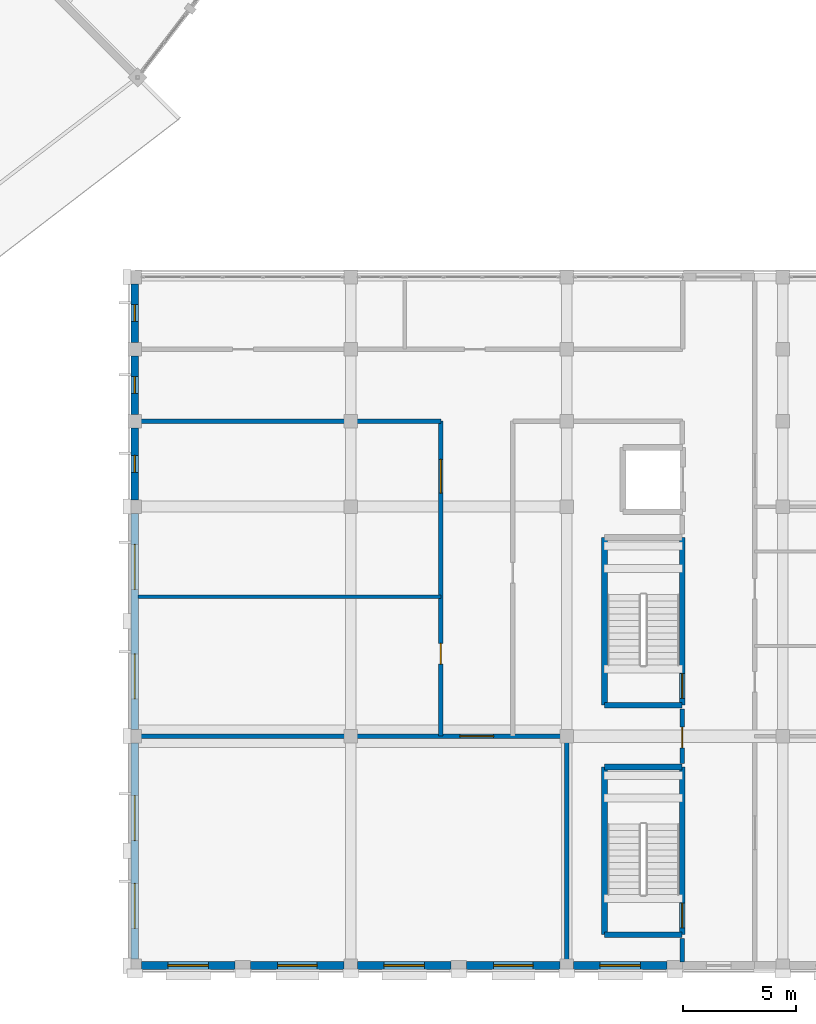
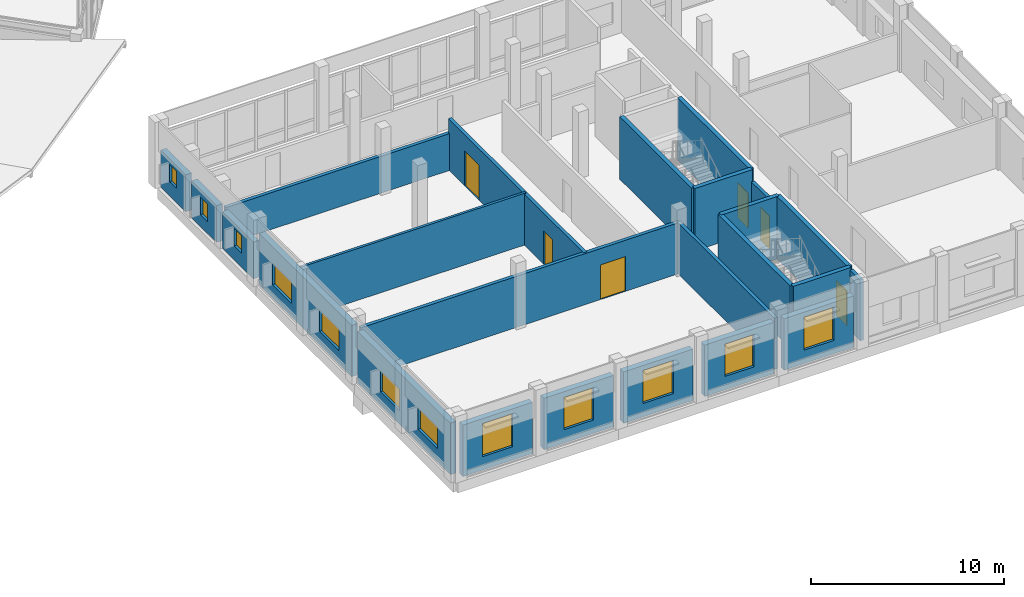
# One storey, part 164 of 185: 24 walls, 12 windows, 6 doors, 18 openings.
"""IFC4 building model written with IfcOpenShell, lengths in metres."""

from ifc_helpers import new_model, si_unit, direction, frame, frame_2d, origin, place, context, subcontext, project, spatial, rectangle, extrude, material, layer, layer_set, type_object, element, fill, save


model = new_model("IFC4")

# Units and contexts
model_context = context("Model", 3, precision=1e-05, world=origin(), true_north=direction((0.0, 1.0)))
body_context = subcontext(model_context, "Body", "Model", "MODEL_VIEW")
ifc_project = project(units=[si_unit("LENGTHUNIT", "METRE"), si_unit("AREAUNIT", "SQUARE_METRE"), si_unit("VOLUMEUNIT", "CUBIC_METRE"), si_unit("PLANEANGLEUNIT", "RADIAN"), si_unit("MASSUNIT", "GRAM", prefix="KILO")], contexts=[model_context])

# Site, building, storey
site_placement = place(None, origin())
site = spatial("IfcSite", under=ifc_project, at=site_placement, CompositionType="ELEMENT")
building_placement = place(site_placement, origin())
building = spatial("IfcBuilding", under=site, at=building_placement, Name="Vondelvale Polytechnic", CompositionType="ELEMENT")
storey_placement = place(building_placement, frame((0.0, 0.0, 9.60009765625)))
storey = spatial("IfcBuildingStorey", under=building, at=storey_placement, Name="L02", CompositionType="ELEMENT", Elevation=9.60009765625)

# Wall, opening, window
ifc_material_1 = material(Name="Amsterdam School iron-spot clinker clay brickwork", Category="masonry")
ifc_layer_1 = layer(ifc_material_1, 0.35009765625)
ifc_layer_set_1 = layer_set([ifc_layer_1], Name="WL-BRICK-350")
wall_type_1 = type_object("IfcWallType", Name="WL-BRICK-350", PredefinedType="SOLIDWALL", material=ifc_layer_set_1)
wall_1_placement = place(storey_placement, frame((138.84912109375, 0.0, 0.0), z_axis=(0.0, 0.0, 1.0), x_axis=(-1.0, 0.0, 0.0)))
wall_1 = element("IfcWall", 1, at=wall_1_placement, inside=storey, type_object=wall_type_1, Name="L02 exterior masonry facade wall", PredefinedType="SOLIDWALL", context=body_context, shape_type="SweptSolid", body=[
    extrude(rectangle(XDim=4.148193359375, YDim=0.35009765625, at=frame_2d((2.07421875, 0.0))), origin(), (0.0, 0.0, 1.0), 3.25),
])
opening_1_placement = place(wall_1_placement, frame((1.174072265625, 0.0, 0.85009765625)))
opening_1 = element("IfcOpeningElement", 2, at=opening_1_placement, cuts=wall_1, Name="Opening WN-0369", PredefinedType="OPENING", context=body_context, shape_type="SweptSolid", body=[
    extrude(rectangle(XDim=1.800048828125, YDim=2.10009765625, at=frame_2d((0.89990234375, 1.050048828125))), frame((0.0, 0.18505859375, 0.0), z_axis=(0.0, -1.0, 0.0), x_axis=(1.0, 0.0, 0.0)), (0.0, 0.0, 1.0), 0.3701171875),
])
ifc_material_2 = material(Name="Double-glazed low-E insulated architectural glass", Category="glass")
window_type_1 = type_object("IfcWindowType", Name="WN-LAB-1800x2100", PartitioningType="SINGLE_PANEL", PredefinedType="WINDOW", material=ifc_material_2)
window_1_placement = place(opening_1_placement, origin())
window_1 = element("IfcWindow", 3, at=window_1_placement, inside=storey, type_object=window_type_1, Name="L02 double-glazed architectural window WN-0369", OverallHeight=2.10009765625, OverallWidth=1.800048828125, PartitioningType="SINGLE_PANEL", PredefinedType="WINDOW", context=body_context, shape_type="SweptSolid", body=[
    extrude(rectangle(XDim=1.800048828125, YDim=2.10009765625, at=frame_2d((0.89990234375, 1.050048828125))), frame((0.0, 0.030029296875, 0.0), z_axis=(0.0, -1.0, 0.0), x_axis=(1.0, 0.0, 0.0)), (0.0, 0.0, 1.0), 0.06005859375),
])
fill(opening_1, window_1)

wall_2_placement = place(storey_placement, frame((143.698974609375, 0.0, 0.0), z_axis=(0.0, 0.0, 1.0), x_axis=(-1.0, 0.0, 0.0)))
wall_2 = element("IfcWall", 4, at=wall_2_placement, inside=storey, type_object=wall_type_1, Name="L02 exterior masonry facade wall", PredefinedType="SOLIDWALL", context=body_context, shape_type="SweptSolid", body=[
    extrude(rectangle(XDim=4.14794921875, YDim=0.35009765625, at=frame_2d((2.073974609375, 0.0))), origin(), (0.0, 0.0, 1.0), 3.25),
])
opening_2_placement = place(wall_2_placement, frame((1.198974609375, 0.0, 0.85009765625)))
opening_2 = element("IfcOpeningElement", 5, at=opening_2_placement, cuts=wall_2, Name="Opening WN-0370", PredefinedType="OPENING", context=body_context, shape_type="SweptSolid", body=[
    extrude(rectangle(XDim=1.75, YDim=2.050048828125, at=frame_2d((0.875, 1.02490234375))), frame((0.0, 0.18505859375, 0.0), z_axis=(0.0, -1.0, 0.0), x_axis=(1.0, 0.0, 0.0)), (0.0, 0.0, 1.0), 0.3701171875),
])
window_type_2 = type_object("IfcWindowType", Name="WN-LAB-1750x2050", PartitioningType="SINGLE_PANEL", PredefinedType="WINDOW", material=ifc_material_2)
window_2_placement = place(opening_2_placement, origin())
window_2 = element("IfcWindow", 6, at=window_2_placement, inside=storey, type_object=window_type_2, Name="L02 double-glazed architectural window WN-0370", OverallHeight=2.050048828125, OverallWidth=1.75, PartitioningType="SINGLE_PANEL", PredefinedType="WINDOW", context=body_context, shape_type="SweptSolid", body=[
    extrude(rectangle(XDim=1.75, YDim=2.050048828125, at=frame_2d((0.875, 1.02490234375))), frame((0.0, 0.030029296875, 0.0), z_axis=(0.0, -1.0, 0.0), x_axis=(1.0, 0.0, 0.0)), (0.0, 0.0, 1.0), 0.06005859375),
])
fill(opening_2, window_2)

wall_3_placement = place(storey_placement, frame((148.448974609375, 0.0, 0.0), z_axis=(0.0, 0.0, 1.0), x_axis=(-1.0, 0.0, 0.0)))
wall_3 = element("IfcWall", 7, at=wall_3_placement, inside=storey, type_object=wall_type_1, Name="L02 exterior masonry facade wall", PredefinedType="SOLIDWALL", context=body_context, shape_type="SweptSolid", body=[
    extrude(rectangle(XDim=4.14794921875, YDim=0.35009765625, at=frame_2d((2.073974609375, 0.0))), origin(), (0.0, 0.0, 1.0), 3.25),
])
opening_3_placement = place(wall_3_placement, frame((1.174072265625, 0.0, 0.85009765625)))
opening_3 = element("IfcOpeningElement", 8, at=opening_3_placement, cuts=wall_3, Name="Opening WN-0371", PredefinedType="OPENING", context=body_context, shape_type="SweptSolid", body=[
    extrude(rectangle(XDim=1.800048828125, YDim=2.10009765625, at=frame_2d((0.89990234375, 1.050048828125))), frame((0.0, 0.18505859375, 0.0), z_axis=(0.0, -1.0, 0.0), x_axis=(1.0, 0.0, 0.0)), (0.0, 0.0, 1.0), 0.3701171875),
])
window_3_placement = place(opening_3_placement, origin())
window_3 = element("IfcWindow", 9, at=window_3_placement, inside=storey, type_object=window_type_1, Name="L02 double-glazed architectural window WN-0371", OverallHeight=2.10009765625, OverallWidth=1.800048828125, PartitioningType="SINGLE_PANEL", PredefinedType="WINDOW", context=body_context, shape_type="SweptSolid", body=[
    extrude(rectangle(XDim=1.800048828125, YDim=2.10009765625, at=frame_2d((0.89990234375, 1.050048828125))), frame((0.0, 0.030029296875, 0.0), z_axis=(0.0, -1.0, 0.0), x_axis=(1.0, 0.0, 0.0)), (0.0, 0.0, 1.0), 0.06005859375),
])
fill(opening_3, window_3)

wall_4_placement = place(storey_placement, frame((153.299072265625, 0.0, 0.0), z_axis=(0.0, 0.0, 1.0), x_axis=(-1.0, 0.0, 0.0)))
wall_4 = element("IfcWall", 10, at=wall_4_placement, inside=storey, type_object=wall_type_1, Name="L02 exterior masonry facade wall", PredefinedType="SOLIDWALL", context=body_context, shape_type="SweptSolid", body=[
    extrude(rectangle(XDim=4.148193359375, YDim=0.35009765625, at=frame_2d((2.07421875, 0.0))), origin(), (0.0, 0.0, 1.0), 3.25),
])
opening_4_placement = place(wall_4_placement, frame((1.198974609375, 0.0, 0.85009765625)))
opening_4 = element("IfcOpeningElement", 11, at=opening_4_placement, cuts=wall_4, Name="Opening WN-0372", PredefinedType="OPENING", context=body_context, shape_type="SweptSolid", body=[
    extrude(rectangle(XDim=1.75, YDim=2.050048828125, at=frame_2d((0.875, 1.02490234375))), frame((0.0, 0.18505859375, 0.0), z_axis=(0.0, -1.0, 0.0), x_axis=(1.0, 0.0, 0.0)), (0.0, 0.0, 1.0), 0.3701171875),
])
window_4_placement = place(opening_4_placement, origin())
window_4 = element("IfcWindow", 12, at=window_4_placement, inside=storey, type_object=window_type_2, Name="L02 double-glazed architectural window WN-0372", OverallHeight=2.050048828125, OverallWidth=1.75, PartitioningType="SINGLE_PANEL", PredefinedType="WINDOW", context=body_context, shape_type="SweptSolid", body=[
    extrude(rectangle(XDim=1.75, YDim=2.050048828125, at=frame_2d((0.875, 1.02490234375))), frame((0.0, 0.030029296875, 0.0), z_axis=(0.0, -1.0, 0.0), x_axis=(1.0, 0.0, 0.0)), (0.0, 0.0, 1.0), 0.06005859375),
])
fill(opening_4, window_4)

wall_5_placement = place(storey_placement, frame((158.049072265625, 0.0, 0.0), z_axis=(0.0, 0.0, 1.0), x_axis=(-1.0, 0.0, 0.0)))
wall_5 = element("IfcWall", 13, at=wall_5_placement, inside=storey, type_object=wall_type_1, Name="L02 exterior masonry facade wall", PredefinedType="SOLIDWALL", context=body_context, shape_type="SweptSolid", body=[
    extrude(rectangle(XDim=4.148193359375, YDim=0.35009765625, at=frame_2d((2.07421875, 0.0))), origin(), (0.0, 0.0, 1.0), 3.25),
])
opening_5_placement = place(wall_5_placement, frame((1.174072265625, 0.0, 0.85009765625)))
opening_5 = element("IfcOpeningElement", 14, at=opening_5_placement, cuts=wall_5, Name="Opening WN-0373", PredefinedType="OPENING", context=body_context, shape_type="SweptSolid", body=[
    extrude(rectangle(XDim=1.800048828125, YDim=2.10009765625, at=frame_2d((0.89990234375, 1.050048828125))), frame((0.0, 0.18505859375, 0.0), z_axis=(0.0, -1.0, 0.0), x_axis=(1.0, 0.0, 0.0)), (0.0, 0.0, 1.0), 0.3701171875),
])
window_5_placement = place(opening_5_placement, origin())
window_5 = element("IfcWindow", 15, at=window_5_placement, inside=storey, type_object=window_type_1, Name="L02 double-glazed architectural window WN-0373", OverallHeight=2.10009765625, OverallWidth=1.800048828125, PartitioningType="SINGLE_PANEL", PredefinedType="WINDOW", context=body_context, shape_type="SweptSolid", body=[
    extrude(rectangle(XDim=1.800048828125, YDim=2.10009765625, at=frame_2d((0.89990234375, 1.050048828125))), frame((0.0, 0.030029296875, 0.0), z_axis=(0.0, -1.0, 0.0), x_axis=(1.0, 0.0, 0.0)), (0.0, 0.0, 1.0), 0.06005859375),
])
fill(opening_5, window_5)

# Wall, openings, windows
wall_6_placement = place(storey_placement, frame((134.39990234375, 0.301025390625, 0.0), z_axis=(0.0, 0.0, 1.0), x_axis=(0.0, 1.0, 0.0)))
wall_6 = element("IfcWall", 16, at=wall_6_placement, inside=storey, type_object=wall_type_1, Name="L02 exterior masonry facade wall", PredefinedType="SOLIDWALL", context=body_context, shape_type="SweptSolid", body=[
    extrude(rectangle(XDim=9.597900390625, YDim=0.35009765625, at=frame_2d((4.798828125, 0.0))), origin(), (0.0, 0.0, 1.0), 3.25),
])
opening_6_placement = place(wall_6_placement, frame((1.35009765625, 0.0, 0.85009765625)))
opening_6 = element("IfcOpeningElement", 17, at=opening_6_placement, cuts=wall_6, Name="Opening WN-0377", PredefinedType="OPENING", context=body_context, shape_type="SweptSolid", body=[
    extrude(rectangle(XDim=2.0, YDim=1.35009765625, at=frame_2d((1.0, 0.675048828125))), frame((0.0, 0.18505859375, 0.0), z_axis=(0.0, -1.0, 0.0), x_axis=(1.0, 0.0, 0.0)), (0.0, 0.0, 1.0), 0.3701171875),
])
opening_7_placement = place(wall_6_placement, frame((5.25, 0.0, 0.85009765625)))
opening_7 = element("IfcOpeningElement", 18, at=opening_7_placement, cuts=wall_6, Name="Opening WN-0378", PredefinedType="OPENING", context=body_context, shape_type="SweptSolid", body=[
    extrude(rectangle(XDim=2.0, YDim=1.35009765625, at=frame_2d((1.0, 0.675048828125))), frame((0.0, 0.18505859375, 0.0), z_axis=(0.0, -1.0, 0.0), x_axis=(1.0, 0.0, 0.0)), (0.0, 0.0, 1.0), 0.3701171875),
])
window_type_3 = type_object("IfcWindowType", Name="WN-RIB-2000x1350", PartitioningType="SINGLE_PANEL", PredefinedType="WINDOW", material=ifc_material_2)
window_6_placement = place(opening_6_placement, origin())
window_6 = element("IfcWindow", 19, at=window_6_placement, inside=storey, type_object=window_type_3, Name="L02 double-glazed architectural window WN-0377", OverallHeight=1.35009765625, OverallWidth=2.0, PartitioningType="SINGLE_PANEL", PredefinedType="WINDOW", context=body_context, shape_type="SweptSolid", body=[
    extrude(rectangle(XDim=2.0, YDim=1.35009765625, at=frame_2d((1.0, 0.675048828125))), frame((0.0, 0.030029296875, 0.0), z_axis=(0.0, -1.0, 0.0), x_axis=(1.0, 0.0, 0.0)), (0.0, 0.0, 1.0), 0.06005859375),
])
fill(opening_6, window_6)
window_7_placement = place(opening_7_placement, origin())
window_7 = element("IfcWindow", 20, at=window_7_placement, inside=storey, type_object=window_type_3, Name="L02 double-glazed architectural window WN-0378", OverallHeight=1.35009765625, OverallWidth=2.0, PartitioningType="SINGLE_PANEL", PredefinedType="WINDOW", context=body_context, shape_type="SweptSolid", body=[
    extrude(rectangle(XDim=2.0, YDim=1.35009765625, at=frame_2d((1.0, 0.675048828125))), frame((0.0, 0.030029296875, 0.0), z_axis=(0.0, -1.0, 0.0), x_axis=(1.0, 0.0, 0.0)), (0.0, 0.0, 1.0), 0.06005859375),
])
fill(opening_7, window_7)

wall_7_placement = place(storey_placement, frame((134.39990234375, 10.5009765625, 0.0), z_axis=(0.0, 0.0, 1.0), x_axis=(0.0, 1.0, 0.0)))
wall_7 = element("IfcWall", 21, at=wall_7_placement, inside=storey, type_object=wall_type_1, Name="L02 exterior masonry facade wall", PredefinedType="SOLIDWALL", context=body_context, shape_type="SweptSolid", body=[
    extrude(rectangle(XDim=9.59814453125, YDim=0.35009765625, at=frame_2d((4.799072265625, 0.0))), origin(), (0.0, 0.0, 1.0), 3.25),
])
opening_8_placement = place(wall_7_placement, frame((1.35009765625, 0.0, 0.85009765625)))
opening_8 = element("IfcOpeningElement", 22, at=opening_8_placement, cuts=wall_7, Name="Opening WN-0379", PredefinedType="OPENING", context=body_context, shape_type="SweptSolid", body=[
    extrude(rectangle(XDim=2.0, YDim=1.35009765625, at=frame_2d((1.0, 0.675048828125))), frame((0.0, 0.18505859375, 0.0), z_axis=(0.0, -1.0, 0.0), x_axis=(1.0, 0.0, 0.0)), (0.0, 0.0, 1.0), 0.3701171875),
])
opening_9_placement = place(wall_7_placement, frame((6.218994140625, 0.0, 0.85009765625)))
opening_9 = element("IfcOpeningElement", 23, at=opening_9_placement, cuts=wall_7, Name="Opening WN-0380", PredefinedType="OPENING", context=body_context, shape_type="SweptSolid", body=[
    extrude(rectangle(XDim=2.0, YDim=1.35009765625, at=frame_2d((1.0, 0.675048828125))), frame((0.0, 0.18505859375, 0.0), z_axis=(0.0, -1.0, 0.0), x_axis=(1.0, 0.0, 0.0)), (0.0, 0.0, 1.0), 0.3701171875),
])
window_8_placement = place(opening_8_placement, origin())
window_8 = element("IfcWindow", 24, at=window_8_placement, inside=storey, type_object=window_type_3, Name="L02 double-glazed architectural window WN-0379", OverallHeight=1.35009765625, OverallWidth=2.0, PartitioningType="SINGLE_PANEL", PredefinedType="WINDOW", context=body_context, shape_type="SweptSolid", body=[
    extrude(rectangle(XDim=2.0, YDim=1.35009765625, at=frame_2d((1.0, 0.675048828125))), frame((0.0, 0.030029296875, 0.0), z_axis=(0.0, -1.0, 0.0), x_axis=(1.0, 0.0, 0.0)), (0.0, 0.0, 1.0), 0.06005859375),
])
fill(opening_8, window_8)
window_9_placement = place(opening_9_placement, origin())
window_9 = element("IfcWindow", 25, at=window_9_placement, inside=storey, type_object=window_type_3, Name="L02 double-glazed architectural window WN-0380", OverallHeight=1.35009765625, OverallWidth=2.0, PartitioningType="SINGLE_PANEL", PredefinedType="WINDOW", context=body_context, shape_type="SweptSolid", body=[
    extrude(rectangle(XDim=2.0, YDim=1.35009765625, at=frame_2d((1.0, 0.675048828125))), frame((0.0, 0.030029296875, 0.0), z_axis=(0.0, -1.0, 0.0), x_axis=(1.0, 0.0, 0.0)), (0.0, 0.0, 1.0), 0.06005859375),
])
fill(opening_9, window_9)

# Wall, opening, window
wall_8_placement = place(storey_placement, frame((134.39990234375, 20.700927734375, 0.0), z_axis=(0.0, 0.0, 1.0), x_axis=(0.0, 1.0, 0.0)))
wall_8 = element("IfcWall", 26, at=wall_8_placement, inside=storey, type_object=wall_type_1, Name="L02 exterior masonry facade wall", PredefinedType="SOLIDWALL", context=body_context, shape_type="SweptSolid", body=[
    extrude(rectangle(XDim=3.197998046875, YDim=0.35009765625, at=frame_2d((1.59912109375, 0.0))), origin(), (0.0, 0.0, 1.0), 2.329833984375),
])
opening_10_placement = place(wall_8_placement, frame((1.22412109375, 0.0, 0.89990234375)))
opening_10 = element("IfcOpeningElement", 27, at=opening_10_placement, cuts=wall_8, Name="Opening WN-0381", PredefinedType="OPENING", context=body_context, shape_type="SweptSolid", body=[
    extrude(rectangle(XDim=0.75, YDim=1.10009765625, at=frame_2d((0.375, 0.550048828125))), frame((0.0, 0.18505859375, 0.0), z_axis=(0.0, -1.0, 0.0), x_axis=(1.0, 0.0, 0.0)), (0.0, 0.0, 1.0), 0.3701171875),
])
window_type_4 = type_object("IfcWindowType", Name="WN-WC-0750x1100", PartitioningType="SINGLE_PANEL", PredefinedType="WINDOW", material=ifc_material_2)
window_10_placement = place(opening_10_placement, origin())
window_10 = element("IfcWindow", 28, at=window_10_placement, inside=storey, type_object=window_type_4, Name="L02 double-glazed architectural window WN-0381", OverallHeight=1.10009765625, OverallWidth=0.75, PartitioningType="SINGLE_PANEL", PredefinedType="WINDOW", context=body_context, shape_type="SweptSolid", body=[
    extrude(rectangle(XDim=0.75, YDim=1.10009765625, at=frame_2d((0.375, 0.550048828125))), frame((0.0, 0.030029296875, 0.0), z_axis=(0.0, -1.0, 0.0), x_axis=(1.0, 0.0, 0.0)), (0.0, 0.0, 1.0), 0.06005859375),
])
fill(opening_10, window_10)

wall_9_placement = place(storey_placement, frame((134.39990234375, 24.5009765625, 0.0), z_axis=(0.0, 0.0, 1.0), x_axis=(0.0, 1.0, 0.0)))
wall_9 = element("IfcWall", 29, at=wall_9_placement, inside=storey, type_object=wall_type_1, Name="L02 exterior masonry facade wall", PredefinedType="SOLIDWALL", context=body_context, shape_type="SweptSolid", body=[
    extrude(rectangle(XDim=2.59814453125, YDim=0.35009765625, at=frame_2d((1.299072265625, 0.0))), origin(), (0.0, 0.0, 1.0), 2.329833984375),
])
opening_11_placement = place(wall_9_placement, frame((0.924072265625, 0.0, 0.75)))
opening_11 = element("IfcOpeningElement", 30, at=opening_11_placement, cuts=wall_9, Name="Opening WN-0382", PredefinedType="OPENING", context=body_context, shape_type="SweptSolid", body=[
    extrude(rectangle(XDim=0.75, YDim=1.10009765625, at=frame_2d((0.375, 0.550048828125))), frame((0.0, 0.18505859375, 0.0), z_axis=(0.0, -1.0, 0.0), x_axis=(1.0, 0.0, 0.0)), (0.0, 0.0, 1.0), 0.3701171875),
])
window_11_placement = place(opening_11_placement, origin())
window_11 = element("IfcWindow", 31, at=window_11_placement, inside=storey, type_object=window_type_4, Name="L02 double-glazed architectural window WN-0382", OverallHeight=1.10009765625, OverallWidth=0.75, PartitioningType="SINGLE_PANEL", PredefinedType="WINDOW", context=body_context, shape_type="SweptSolid", body=[
    extrude(rectangle(XDim=0.75, YDim=1.10009765625, at=frame_2d((0.375, 0.550048828125))), frame((0.0, 0.030029296875, 0.0), z_axis=(0.0, -1.0, 0.0), x_axis=(1.0, 0.0, 0.0)), (0.0, 0.0, 1.0), 0.06005859375),
])
fill(opening_11, window_11)

wall_10_placement = place(storey_placement, frame((134.39990234375, 27.700927734375, 0.0), z_axis=(0.0, 0.0, 1.0), x_axis=(0.0, 1.0, 0.0)))
wall_10 = element("IfcWall", 32, at=wall_10_placement, inside=storey, type_object=wall_type_1, Name="L02 exterior masonry facade wall", PredefinedType="SOLIDWALL", context=body_context, shape_type="SweptSolid", body=[
    extrude(rectangle(XDim=2.59814453125, YDim=0.35009765625, at=frame_2d((1.299072265625, 0.0))), origin(), (0.0, 0.0, 1.0), 2.329833984375),
])
opening_12_placement = place(wall_10_placement, frame((0.924072265625, 0.0, 0.89990234375)))
opening_12 = element("IfcOpeningElement", 33, at=opening_12_placement, cuts=wall_10, Name="Opening WN-0383", PredefinedType="OPENING", context=body_context, shape_type="SweptSolid", body=[
    extrude(rectangle(XDim=0.75, YDim=1.10009765625, at=frame_2d((0.375, 0.550048828125))), frame((0.0, 0.18505859375, 0.0), z_axis=(0.0, -1.0, 0.0), x_axis=(1.0, 0.0, 0.0)), (0.0, 0.0, 1.0), 0.3701171875),
])
window_12_placement = place(opening_12_placement, origin())
window_12 = element("IfcWindow", 34, at=window_12_placement, inside=storey, type_object=window_type_4, Name="L02 double-glazed architectural window WN-0383", OverallHeight=1.10009765625, OverallWidth=0.75, PartitioningType="SINGLE_PANEL", PredefinedType="WINDOW", context=body_context, shape_type="SweptSolid", body=[
    extrude(rectangle(XDim=0.75, YDim=1.10009765625, at=frame_2d((0.375, 0.550048828125))), frame((0.0, 0.030029296875, 0.0), z_axis=(0.0, -1.0, 0.0), x_axis=(1.0, 0.0, 0.0)), (0.0, 0.0, 1.0), 0.06005859375),
])
fill(opening_12, window_12)

# Wall, opening, door
ifc_material_3 = material(Name="Concrete N40 (f'c = 40 MPa)", Category="concrete")
ifc_layer_2 = layer(ifc_material_3, 0.25)
ifc_layer_set_2 = layer_set([ifc_layer_2], Name="WL-CORE-250")
wall_type_2 = type_object("IfcWallType", Name="WL-CORE-250", PredefinedType="SOLIDWALL", material=ifc_layer_set_2)
wall_11_placement = place(storey_placement, frame((158.72509765625, 1.375, 0.0), z_axis=(0.0, 0.0, 1.0), x_axis=(0.0, 1.0, 0.0)))
wall_11 = element("IfcWall", 35, at=wall_11_placement, inside=storey, type_object=wall_type_2, Name="L02 ST-06 reinforced concrete stair core wall", PredefinedType="SOLIDWALL", context=body_context, shape_type="SweptSolid", body=[
    extrude(rectangle(XDim=7.449951171875, YDim=0.25, at=frame_2d((3.72509765625, 0.0))), origin(), (0.0, 0.0, 1.0), 3.949951171875),
])
opening_13_placement = place(wall_11_placement, frame((0.300048828125, 0.0, 0.0)))
opening_13 = element("IfcOpeningElement", 36, at=opening_13_placement, cuts=wall_11, Name="Opening SD-036", PredefinedType="OPENING", context=body_context, shape_type="SweptSolid", body=[
    extrude(rectangle(XDim=1.10009765625, YDim=2.199951171875, at=frame_2d((0.550048828125, 1.10009765625))), frame((0.0, 0.135009765625, 0.0), z_axis=(0.0, -1.0, 0.0), x_axis=(1.0, 0.0, 0.0)), (0.0, 0.0, 1.0), 0.27001953125),
])
ifc_material_4 = material(Name="Brushed architectural stainless and zinc-coated metal")
door_type_1 = type_object("IfcDoorType", Name="DR-STAIR-1100x2200", OperationType="SINGLE_SWING_LEFT", PredefinedType="DOOR", material=ifc_material_4)
door_1_placement = place(opening_13_placement, origin())
door_1 = element("IfcDoor", 37, at=door_1_placement, inside=storey, type_object=door_type_1, Name="L02 ST-06 fire-isolated stair door", OperationType="SINGLE_SWING_RIGHT", OverallHeight=2.199951171875, OverallWidth=1.10009765625, PredefinedType="DOOR", context=body_context, shape_type="SweptSolid", body=[
    extrude(rectangle(XDim=1.10009765625, YDim=2.199951171875, at=frame_2d((0.550048828125, 1.10009765625))), frame((0.0, 0.02490234375, 0.0), z_axis=(0.0, -1.0, 0.0), x_axis=(1.0, 0.0, 0.0)), (0.0, 0.0, 1.0), 0.050048828125),
])
fill(opening_13, door_1)

# Walls
wall_12_placement = place(storey_placement, frame((158.72509765625, 8.824951171875, 0.0), z_axis=(0.0, 0.0, 1.0), x_axis=(-1.0, 0.0, 0.0)))
element("IfcWall", 38, at=wall_12_placement, inside=storey, type_object=wall_type_2, Name="L02 ST-06 reinforced concrete stair core wall", PredefinedType="SOLIDWALL", context=body_context, shape_type="SweptSolid", body=[
    extrude(rectangle(XDim=3.4501953125, YDim=0.25, at=frame_2d((1.72509765625, 0.0))), origin(), (0.0, 0.0, 1.0), 3.949951171875),
])
wall_13_placement = place(storey_placement, frame((155.27490234375, 8.824951171875, 0.0), z_axis=(0.0, 0.0, 1.0), x_axis=(0.0, -1.0, 0.0)))
element("IfcWall", 39, at=wall_13_placement, inside=storey, type_object=wall_type_2, Name="L02 ST-06 reinforced concrete stair core wall", PredefinedType="SOLIDWALL", context=body_context, shape_type="SweptSolid", body=[
    extrude(rectangle(XDim=7.449951171875, YDim=0.25, at=frame_2d((3.72509765625, 0.0))), origin(), (0.0, 0.0, 1.0), 3.949951171875),
])
wall_14_placement = place(storey_placement, frame((155.27490234375, 1.375, 0.0), z_axis=(0.0, 0.0, 1.0), x_axis=(1.0, 0.0, 0.0)))
element("IfcWall", 40, at=wall_14_placement, inside=storey, type_object=wall_type_2, Name="L02 ST-06 reinforced concrete stair core wall", PredefinedType="SOLIDWALL", context=body_context, shape_type="SweptSolid", body=[
    extrude(rectangle(XDim=3.4501953125, YDim=0.25, at=frame_2d((1.72509765625, 0.0))), origin(), (0.0, 0.0, 1.0), 3.949951171875),
])

# Wall, opening, door
wall_15_placement = place(storey_placement, frame((158.72509765625, 11.574951171875, 0.0), z_axis=(0.0, 0.0, 1.0), x_axis=(0.0, 1.0, 0.0)))
wall_15 = element("IfcWall", 41, at=wall_15_placement, inside=storey, type_object=wall_type_2, Name="L02 ST-07 reinforced concrete stair core wall", PredefinedType="SOLIDWALL", context=body_context, shape_type="SweptSolid", body=[
    extrude(rectangle(XDim=7.449951171875, YDim=0.25, at=frame_2d((3.72509765625, 0.0))), origin(), (0.0, 0.0, 1.0), 3.949951171875),
])
opening_14_placement = place(wall_15_placement, frame((0.300048828125, 0.0, 0.0)))
opening_14 = element("IfcOpeningElement", 42, at=opening_14_placement, cuts=wall_15, Name="Opening SD-042", PredefinedType="OPENING", context=body_context, shape_type="SweptSolid", body=[
    extrude(rectangle(XDim=1.10009765625, YDim=2.199951171875, at=frame_2d((0.550048828125, 1.10009765625))), frame((0.0, 0.135009765625, 0.0), z_axis=(0.0, -1.0, 0.0), x_axis=(1.0, 0.0, 0.0)), (0.0, 0.0, 1.0), 0.27001953125),
])
door_2_placement = place(opening_14_placement, origin())
door_2 = element("IfcDoor", 43, at=door_2_placement, inside=storey, type_object=door_type_1, Name="L02 ST-07 fire-isolated stair door", OperationType="SINGLE_SWING_RIGHT", OverallHeight=2.199951171875, OverallWidth=1.10009765625, PredefinedType="DOOR", context=body_context, shape_type="SweptSolid", body=[
    extrude(rectangle(XDim=1.10009765625, YDim=2.199951171875, at=frame_2d((0.550048828125, 1.10009765625))), frame((0.0, 0.02490234375, 0.0), z_axis=(0.0, -1.0, 0.0), x_axis=(1.0, 0.0, 0.0)), (0.0, 0.0, 1.0), 0.050048828125),
])
fill(opening_14, door_2)

# Walls
wall_16_placement = place(storey_placement, frame((155.27490234375, 19.02490234375, 0.0), z_axis=(0.0, 0.0, 1.0), x_axis=(0.0, -1.0, 0.0)))
element("IfcWall", 44, at=wall_16_placement, inside=storey, type_object=wall_type_2, Name="L02 ST-07 reinforced concrete stair core wall", PredefinedType="SOLIDWALL", context=body_context, shape_type="SweptSolid", body=[
    extrude(rectangle(XDim=7.449951171875, YDim=0.25, at=frame_2d((3.72509765625, 0.0))), origin(), (0.0, 0.0, 1.0), 3.949951171875),
])
wall_17_placement = place(storey_placement, frame((155.27490234375, 11.574951171875, 0.0), z_axis=(0.0, 0.0, 1.0), x_axis=(1.0, 0.0, 0.0)))
element("IfcWall", 45, at=wall_17_placement, inside=storey, type_object=wall_type_2, Name="L02 ST-07 reinforced concrete stair core wall", PredefinedType="SOLIDWALL", context=body_context, shape_type="SweptSolid", body=[
    extrude(rectangle(XDim=3.4501953125, YDim=0.25, at=frame_2d((1.72509765625, 0.0))), origin(), (0.0, 0.0, 1.0), 3.949951171875),
])

# Wall, opening, door
ifc_material_5 = material(Name="Fire-rated double-layer plasterboard stud partition")
ifc_layer_3 = layer(ifc_material_5, 0.199951171875)
ifc_layer_set_3 = layer_set([ifc_layer_3], Name="WL-CORR-200")
wall_type_3 = type_object("IfcWallType", Name="WL-CORR-200", PredefinedType="PARTITIONING", material=ifc_layer_set_3)
wall_18_placement = place(storey_placement, frame((134.550048828125, 10.199951171875, 0.0), z_axis=(0.0, 0.0, 1.0), x_axis=(1.0, 0.0, 0.0)))
wall_18 = element("IfcWall", 46, at=wall_18_placement, inside=storey, type_object=wall_type_3, Name="L02 interior acoustic partition", PredefinedType="PARTITIONING", context=body_context, shape_type="SweptSolid", body=[
    extrude(rectangle(XDim=19.050048828125, YDim=0.199951171875, at=frame_2d((9.52490234375, 0.0))), origin(), (0.0, 0.0, 1.0), 3.22998046875),
])
opening_15_placement = place(wall_18_placement, frame((14.300048828125, 0.0, 0.0)))
opening_15 = element("IfcOpeningElement", 47, at=opening_15_placement, cuts=wall_18, Name="Opening ID-0243", PredefinedType="OPENING", context=body_context, shape_type="SweptSolid", body=[
    extrude(rectangle(XDim=1.5, YDim=2.199951171875, at=frame_2d((0.75, 1.10009765625))), frame((0.0, 0.10986328125, 0.0), z_axis=(0.0, -1.0, 0.0), x_axis=(1.0, 0.0, 0.0)), (0.0, 0.0, 1.0), 0.219970703125),
])
ifc_material_6 = material(Name="Fire-rated solid Tasmanian oak joinery")
door_type_2 = type_object("IfcDoorType", Name="DR-LAB-1500x2200", OperationType="DOUBLE_DOOR_SINGLE_SWING", PredefinedType="DOOR", material=ifc_material_6)
door_3_placement = place(opening_15_placement, origin())
door_3 = element("IfcDoor", 48, at=door_3_placement, inside=storey, type_object=door_type_2, Name="L02 interior room door ID-0243", OperationType="DOUBLE_DOOR_SINGLE_SWING", OverallHeight=2.199951171875, OverallWidth=1.5, PredefinedType="DOOR", context=body_context, shape_type="SweptSolid", body=[
    extrude(rectangle(XDim=1.5, YDim=2.199951171875, at=frame_2d((0.75, 1.10009765625))), frame((0.0, 0.02490234375, 0.0), z_axis=(0.0, -1.0, 0.0), x_axis=(1.0, 0.0, 0.0)), (0.0, 0.0, 1.0), 0.050048828125),
])
fill(opening_15, door_3)

# Wall
wall_19_placement = place(storey_placement, frame((153.60009765625, 0.14990234375, 0.0), z_axis=(0.0, 0.0, 1.0), x_axis=(0.0, 1.0, 0.0)))
element("IfcWall", 49, at=wall_19_placement, inside=storey, type_object=wall_type_3, Name="L02 interior acoustic partition", PredefinedType="PARTITIONING", context=body_context, shape_type="SweptSolid", body=[
    extrude(rectangle(XDim=10.050048828125, YDim=0.199951171875, at=frame_2d((5.02490234375, 0.0))), origin(), (0.0, 0.0, 1.0), 3.22998046875),
])

# Wall, openings, doors
wall_20_placement = place(storey_placement, frame((148.0, 10.199951171875, 0.0), z_axis=(0.0, 0.0, 1.0), x_axis=(0.0, 1.0, 0.0)))
wall_20 = element("IfcWall", 50, at=wall_20_placement, inside=storey, type_object=wall_type_3, Name="L02 interior acoustic partition", PredefinedType="PARTITIONING", context=body_context, shape_type="SweptSolid", body=[
    extrude(rectangle(XDim=14.0, YDim=0.199951171875, at=frame_2d((7.0, 0.0))), origin(), (0.0, 0.0, 1.0), 3.22998046875),
])
opening_16_placement = place(wall_20_placement, frame((3.199951171875, 0.0, 0.0)))
opening_16 = element("IfcOpeningElement", 51, at=opening_16_placement, cuts=wall_20, Name="Opening ID-0244", PredefinedType="OPENING", context=body_context, shape_type="SweptSolid", body=[
    extrude(rectangle(XDim=0.919921875, YDim=2.10009765625, at=frame_2d((0.4599609375, 1.050048828125))), frame((0.0, 0.10986328125, 0.0), z_axis=(0.0, -1.0, 0.0), x_axis=(1.0, 0.0, 0.0)), (0.0, 0.0, 1.0), 0.219970703125),
])
opening_17_placement = place(wall_20_placement, frame((10.800048828125, 0.0, 0.0)))
opening_17 = element("IfcOpeningElement", 52, at=opening_17_placement, cuts=wall_20, Name="Opening ID-0245", PredefinedType="OPENING", context=body_context, shape_type="SweptSolid", body=[
    extrude(rectangle(XDim=1.5, YDim=2.199951171875, at=frame_2d((0.75, 1.10009765625))), frame((0.0, 0.10986328125, 0.0), z_axis=(0.0, -1.0, 0.0), x_axis=(1.0, 0.0, 0.0)), (0.0, 0.0, 1.0), 0.219970703125),
])
door_type_3 = type_object("IfcDoorType", Name="DR-INT-0920x2100", OperationType="SINGLE_SWING_LEFT", PredefinedType="DOOR", material=ifc_material_6)
door_4_placement = place(opening_16_placement, origin())
door_4 = element("IfcDoor", 53, at=door_4_placement, inside=storey, type_object=door_type_3, Name="L02 interior room door ID-0244", OperationType="SINGLE_SWING_RIGHT", OverallHeight=2.10009765625, OverallWidth=0.919921875, PredefinedType="DOOR", context=body_context, shape_type="SweptSolid", body=[
    extrude(rectangle(XDim=0.919921875, YDim=2.10009765625, at=frame_2d((0.4599609375, 1.050048828125))), frame((0.0, 0.02490234375, 0.0), z_axis=(0.0, -1.0, 0.0), x_axis=(1.0, 0.0, 0.0)), (0.0, 0.0, 1.0), 0.050048828125),
])
fill(opening_16, door_4)
door_5_placement = place(opening_17_placement, origin())
door_5 = element("IfcDoor", 54, at=door_5_placement, inside=storey, type_object=door_type_2, Name="L02 interior room door ID-0245", OperationType="DOUBLE_DOOR_SINGLE_SWING", OverallHeight=2.199951171875, OverallWidth=1.5, PredefinedType="DOOR", context=body_context, shape_type="SweptSolid", body=[
    extrude(rectangle(XDim=1.5, YDim=2.199951171875, at=frame_2d((0.75, 1.10009765625))), frame((0.0, 0.02490234375, 0.0), z_axis=(0.0, -1.0, 0.0), x_axis=(1.0, 0.0, 0.0)), (0.0, 0.0, 1.0), 0.050048828125),
])
fill(opening_17, door_5)

# Walls
wall_21_placement = place(storey_placement, frame((134.550048828125, 24.199951171875, 0.0), z_axis=(0.0, 0.0, 1.0), x_axis=(1.0, 0.0, 0.0)))
element("IfcWall", 55, at=wall_21_placement, inside=storey, type_object=wall_type_3, Name="L02 interior acoustic partition", PredefinedType="PARTITIONING", context=body_context, shape_type="SweptSolid", body=[
    extrude(rectangle(XDim=13.449951171875, YDim=0.199951171875, at=frame_2d((6.72509765625, 0.0))), origin(), (0.0, 0.0, 1.0), 2.329833984375),
])
wall_22_placement = place(storey_placement, frame((158.72509765625, 0.14990234375, 0.0), z_axis=(0.0, 0.0, 1.0), x_axis=(0.0, 1.0, 0.0)))
element("IfcWall", 56, at=wall_22_placement, inside=storey, type_object=wall_type_3, Name="L02 interior acoustic partition", PredefinedType="PARTITIONING", context=body_context, shape_type="SweptSolid", body=[
    extrude(rectangle(XDim=1.06005859375, YDim=0.199951171875, at=frame_2d((0.530029296875, 0.0))), origin(), (0.0, 0.0, 1.0), 3.849853515625),
])

# Wall, opening, door
wall_23_placement = place(storey_placement, frame((158.72509765625, 8.989990234375, 0.0), z_axis=(0.0, 0.0, 1.0), x_axis=(0.0, 1.0, 0.0)))
wall_23 = element("IfcWall", 57, at=wall_23_placement, inside=storey, type_object=wall_type_3, Name="L02 interior acoustic partition", PredefinedType="PARTITIONING", context=body_context, shape_type="SweptSolid", body=[
    extrude(rectangle(XDim=2.419921875, YDim=0.199951171875, at=frame_2d((1.2099609375, 0.0))), origin(), (0.0, 0.0, 1.0), 3.22998046875),
])
opening_18_placement = place(wall_23_placement, frame((0.68505859375, 0.0, 0.0)))
opening_18 = element("IfcOpeningElement", 58, at=opening_18_placement, cuts=wall_23, Name="Opening ID-0247", PredefinedType="OPENING", context=body_context, shape_type="SweptSolid", body=[
    extrude(rectangle(XDim=0.919921875, YDim=2.10009765625, at=frame_2d((0.4599609375, 1.050048828125))), frame((0.0, 0.10986328125, 0.0), z_axis=(0.0, -1.0, 0.0), x_axis=(1.0, 0.0, 0.0)), (0.0, 0.0, 1.0), 0.219970703125),
])
door_6_placement = place(opening_18_placement, origin())
door_6 = element("IfcDoor", 59, at=door_6_placement, inside=storey, type_object=door_type_3, Name="L02 interior room door ID-0247", OperationType="SINGLE_SWING_LEFT", OverallHeight=2.10009765625, OverallWidth=0.919921875, PredefinedType="DOOR", context=body_context, shape_type="SweptSolid", body=[
    extrude(rectangle(XDim=0.919921875, YDim=2.10009765625, at=frame_2d((0.4599609375, 1.050048828125))), frame((0.0, 0.02490234375, 0.0), z_axis=(0.0, -1.0, 0.0), x_axis=(1.0, 0.0, 0.0)), (0.0, 0.0, 1.0), 0.050048828125),
])
fill(opening_18, door_6)

# Wall
ifc_layer_4 = layer(ifc_material_5, 0.14990234375)
ifc_layer_set_4 = layer_set([ifc_layer_4], Name="WL-INT-150")
wall_type_4 = type_object("IfcWallType", Name="WL-INT-150", PredefinedType="PARTITIONING", material=ifc_layer_set_4)
wall_24_placement = place(storey_placement, frame((134.550048828125, 16.39990234375, 0.0), z_axis=(0.0, 0.0, 1.0), x_axis=(1.0, 0.0, 0.0)))
element("IfcWall", 60, at=wall_24_placement, inside=storey, type_object=wall_type_4, Name="L02 interior acoustic partition", PredefinedType="PARTITIONING", context=body_context, shape_type="SweptSolid", body=[
    extrude(rectangle(XDim=13.449951171875, YDim=0.14990234375, at=frame_2d((6.72509765625, 0.0))), origin(), (0.0, 0.0, 1.0), 3.27978515625),
])

save(model, "model.ifc")
